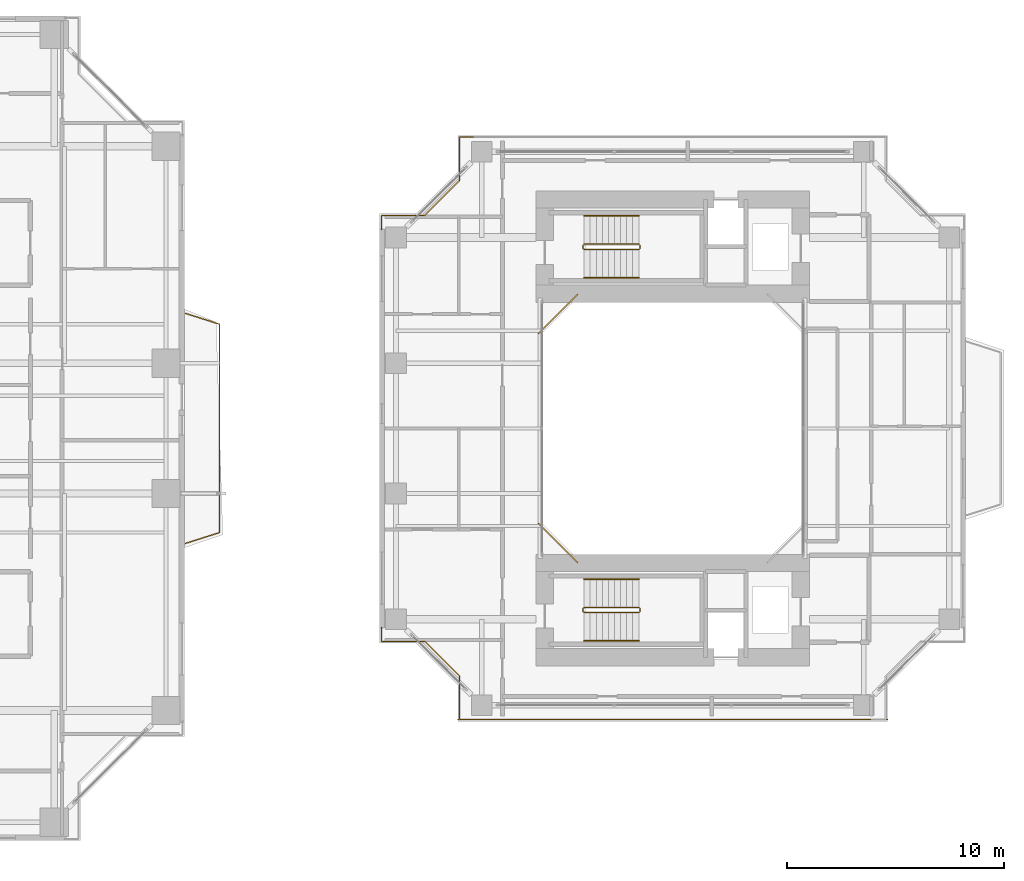
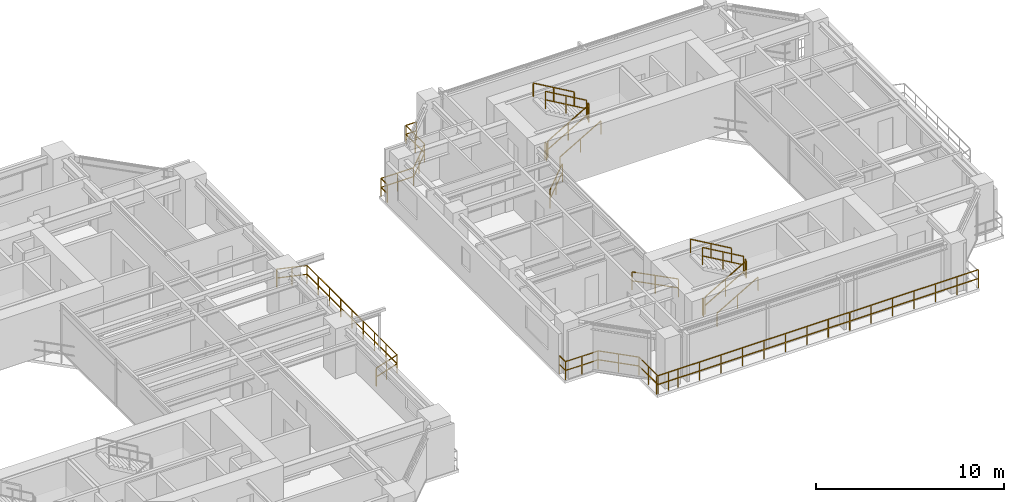
# One storey, part 22 of 23: 18 railings.
"""IFC4 building model written with IfcOpenShell, lengths in metres."""

from ifc_helpers import new_model, si_unit, direction, frame, origin, origin_2d, place, context, subcontext, project, spatial, rectangle, extrude, material, type_object, element, save


model = new_model("IFC4")

# Units and contexts
model_context = context("Model", 3, precision=1e-05, world=origin(), true_north=direction((0.0, 1.0)))
body_context = subcontext(model_context, "Body", "Model", "MODEL_VIEW")
ifc_project = project(units=[si_unit("LENGTHUNIT", "METRE"), si_unit("AREAUNIT", "SQUARE_METRE"), si_unit("VOLUMEUNIT", "CUBIC_METRE"), si_unit("PLANEANGLEUNIT", "RADIAN"), si_unit("MASSUNIT", "GRAM", prefix="KILO"), si_unit("THERMODYNAMICTEMPERATUREUNIT", "KELVIN"), si_unit("POWERUNIT", "WATT")], contexts=[model_context])

# Site, building, storey
site_placement = place(None, origin())
site = spatial("IfcSite", under=ifc_project, at=site_placement, CompositionType="ELEMENT")
building_placement = place(site_placement, origin())
building = spatial("IfcBuilding", under=site, at=building_placement, Name="Qiaomeng Ring Towers", CompositionType="ELEMENT")
storey_placement = place(building_placement, frame((0.0, 0.0, 60.0)))
storey = spatial("IfcBuildingStorey", under=building, at=storey_placement, Name="L16", CompositionType="ELEMENT", Elevation=60.0)

# Railings
ifc_material_1 = material(Name="Low-E pale-green laminated safety glass", Category="glass")
railing_type_1 = type_object("IfcRailingType", Name="ARC-RL-BAL1", PredefinedType="BALUSTRADE", material=ifc_material_1)
railing_1_placement = place(storey_placement, frame((38.050048828125, 17.699951171875, 0.0)))
element("IfcRailing", 1, at=railing_1_placement, inside=storey, type_object=railing_type_1, Name="L16 Balustrade ARC-BAL-L16-T1-E", PredefinedType="BALUSTRADE", context=body_context, shape_type="SweptSolid", body=[
    extrude(rectangle(XDim=0.048095703125, YDim=0.048095703125, at=origin_2d()), frame((0.0, 0.0, 1.17578125), z_axis=(0.952849860715, 0.303442157479, 0.0), x_axis=(-0.303442157479, 0.952849860715, 0.0)), (0.0, 0.0, 1.0), 1.647705078125),
    extrude(rectangle(XDim=0.048095703125, YDim=0.048095703125, at=origin_2d()), frame((0.0, 0.0, 0.60009765625), z_axis=(0.952849860715, 0.303442157479, 0.0), x_axis=(-0.303442157479, 0.952849860715, 0.0)), (0.0, 0.0, 1.0), 1.647705078125),
    extrude(rectangle(XDim=0.048095703125, YDim=0.048095703125, at=origin_2d()), frame((1.570068359375, 0.5, 1.17578125), z_axis=(0.0, 1.0, 0.0), x_axis=(-1.0, 0.0, 0.0)), (0.0, 0.0, 1.0), 9.60009765625),
    extrude(rectangle(XDim=0.048095703125, YDim=0.048095703125, at=origin_2d()), frame((1.570068359375, 0.5, 0.60009765625), z_axis=(0.0, 1.0, 0.0), x_axis=(-1.0, 0.0, 0.0)), (0.0, 0.0, 1.0), 9.60009765625),
    extrude(rectangle(XDim=0.048095703125, YDim=0.048095703125, at=origin_2d()), frame((1.570068359375, 10.10009765625, 1.17578125), z_axis=(-0.952849860715, 0.303442157479, 0.0), x_axis=(-0.303442157479, -0.952849860715, 0.0)), (0.0, 0.0, 1.0), 1.647705078125),
    extrude(rectangle(XDim=0.048095703125, YDim=0.048095703125, at=origin_2d()), frame((1.570068359375, 10.10009765625, 0.60009765625), z_axis=(-0.952849860715, 0.303442157479, 0.0), x_axis=(-0.303442157479, -0.952849860715, 0.0)), (0.0, 0.0, 1.0), 1.647705078125),
    extrude(rectangle(XDim=0.0419921875, YDim=0.0419921875, at=origin_2d()), origin(), (0.0, 0.0, 1.0), 1.15185546875),
    extrude(rectangle(XDim=0.0419921875, YDim=0.0419921875, at=origin_2d()), frame((0.78515625, 0.25, 0.0)), (0.0, 0.0, 1.0), 1.15185546875),
    extrude(rectangle(XDim=0.0419921875, YDim=0.0419921875, at=origin_2d()), frame((1.570068359375, 0.5, 0.0)), (0.0, 0.0, 1.0), 1.15185546875),
    extrude(rectangle(XDim=0.0419921875, YDim=0.0419921875, at=origin_2d()), frame((1.570068359375, 1.699951171875, 0.0)), (0.0, 0.0, 1.0), 1.15185546875),
    extrude(rectangle(XDim=0.0419921875, YDim=0.0419921875, at=origin_2d()), frame((1.570068359375, 2.89990234375, 0.0)), (0.0, 0.0, 1.0), 1.15185546875),
    extrude(rectangle(XDim=0.0419921875, YDim=0.0419921875, at=origin_2d()), frame((1.570068359375, 4.10009765625, 0.0)), (0.0, 0.0, 1.0), 1.15185546875),
    extrude(rectangle(XDim=0.0419921875, YDim=0.0419921875, at=origin_2d()), frame((1.570068359375, 5.300048828125, 0.0)), (0.0, 0.0, 1.0), 1.15185546875),
    extrude(rectangle(XDim=0.0419921875, YDim=0.0419921875, at=origin_2d()), frame((1.570068359375, 6.5, 0.0)), (0.0, 0.0, 1.0), 1.15185546875),
    extrude(rectangle(XDim=0.0419921875, YDim=0.0419921875, at=origin_2d()), frame((1.570068359375, 7.7001953125, 0.0)), (0.0, 0.0, 1.0), 1.15185546875),
    extrude(rectangle(XDim=0.0419921875, YDim=0.0419921875, at=origin_2d()), frame((1.570068359375, 8.900146484375, 0.0)), (0.0, 0.0, 1.0), 1.15185546875),
    extrude(rectangle(XDim=0.0419921875, YDim=0.0419921875, at=origin_2d()), frame((1.570068359375, 10.10009765625, 0.0)), (0.0, 0.0, 1.0), 1.15185546875),
    extrude(rectangle(XDim=0.0419921875, YDim=0.0419921875, at=origin_2d()), frame((0.78515625, 10.35009765625, 0.0)), (0.0, 0.0, 1.0), 1.15185546875),
    extrude(rectangle(XDim=0.0419921875, YDim=0.0419921875, at=origin_2d()), frame((0.0, 10.60009765625, 0.0)), (0.0, 0.0, 1.0), 1.15185546875),
])
railing_2_placement = place(storey_placement, frame((56.1201171875, 29.179931640625, 0.0)))
element("IfcRailing", 2, at=railing_2_placement, inside=storey, type_object=railing_type_1, Name="L16 Balustrade ARC-BAL-WELL2-L16-3", PredefinedType="BALUSTRADE", context=body_context, shape_type="SweptSolid", body=[
    extrude(rectangle(XDim=0.048095703125, YDim=0.048095703125, at=origin_2d()), frame((0.0, 0.0, 1.17578125), z_axis=(-0.707106781187, -0.707106781187, 0.0), x_axis=(0.707106781187, -0.707106781187, 0.0)), (0.0, 0.0, 1.0), 2.545654296875),
    extrude(rectangle(XDim=0.048095703125, YDim=0.048095703125, at=origin_2d()), frame((0.0, 0.0, 0.60009765625), z_axis=(-0.707106781187, -0.707106781187, 0.0), x_axis=(0.707106781187, -0.707106781187, 0.0)), (0.0, 0.0, 1.0), 2.545654296875),
    extrude(rectangle(XDim=0.0419921875, YDim=0.0419921875, at=origin_2d()), origin(), (0.0, 0.0, 1.0), 1.15185546875),
    extrude(rectangle(XDim=0.0419921875, YDim=0.0419921875, at=origin_2d()), frame((-0.89990234375, -0.89990234375, 0.0)), (0.0, 0.0, 1.0), 1.15185546875),
    extrude(rectangle(XDim=0.0419921875, YDim=0.0419921875, at=origin_2d()), frame((-1.800048828125, -1.800048828125, 0.0)), (0.0, 0.0, 1.0), 1.15185546875),
])
railing_3_placement = place(storey_placement, frame((54.320068359375, 18.6201171875, 0.0)))
element("IfcRailing", 3, at=railing_3_placement, inside=storey, type_object=railing_type_1, Name="L16 Balustrade ARC-BAL-WELL2-L16-4", PredefinedType="BALUSTRADE", context=body_context, shape_type="SweptSolid", body=[
    extrude(rectangle(XDim=0.048095703125, YDim=0.048095703125, at=origin_2d()), frame((0.0, 0.0, 1.17578125), z_axis=(0.707106781187, -0.707106781187, 0.0), x_axis=(0.707106781187, 0.707106781187, 0.0)), (0.0, 0.0, 1.0), 2.545654296875),
    extrude(rectangle(XDim=0.048095703125, YDim=0.048095703125, at=origin_2d()), frame((0.0, 0.0, 0.60009765625), z_axis=(0.707106781187, -0.707106781187, 0.0), x_axis=(0.707106781187, 0.707106781187, 0.0)), (0.0, 0.0, 1.0), 2.545654296875),
    extrude(rectangle(XDim=0.0419921875, YDim=0.0419921875, at=origin_2d()), origin(), (0.0, 0.0, 1.0), 1.15185546875),
    extrude(rectangle(XDim=0.0419921875, YDim=0.0419921875, at=origin_2d()), frame((0.89990234375, -0.89990234375, 0.0)), (0.0, 0.0, 1.0), 1.15185546875),
    extrude(rectangle(XDim=0.0419921875, YDim=0.0419921875, at=origin_2d()), frame((1.800048828125, -1.800048828125, 0.0)), (0.0, 0.0, 1.0), 1.15185546875),
])
railing_4_placement = place(storey_placement, frame((51.330078125, 36.419921875, 0.0)))
element("IfcRailing", 4, at=railing_4_placement, inside=storey, type_object=railing_type_1, Name="L16 Balustrade ARC-BAL-NOTCH2-L16-NW", PredefinedType="BALUSTRADE", context=body_context, shape_type="SweptSolid", body=[
    extrude(rectangle(XDim=0.048095703125, YDim=0.048095703125, at=origin_2d()), frame((0.0, 0.0, 1.17578125), z_axis=(-1.0, 0.0, 0.0), x_axis=(0.0, -1.0, 0.0)), (0.0, 0.0, 1.0), 0.650146484375),
    extrude(rectangle(XDim=0.048095703125, YDim=0.048095703125, at=origin_2d()), frame((0.0, 0.0, 0.60009765625), z_axis=(-1.0, 0.0, 0.0), x_axis=(0.0, -1.0, 0.0)), (0.0, 0.0, 1.0), 0.650146484375),
    extrude(rectangle(XDim=0.048095703125, YDim=0.048095703125, at=origin_2d()), frame((-0.650146484375, 0.0, 1.17578125), z_axis=(0.0, -1.0, 0.0), x_axis=(1.0, 0.0, 0.0)), (0.0, 0.0, 1.0), 2.0),
    extrude(rectangle(XDim=0.048095703125, YDim=0.048095703125, at=origin_2d()), frame((-0.650146484375, 0.0, 0.60009765625), z_axis=(0.0, -1.0, 0.0), x_axis=(1.0, 0.0, 0.0)), (0.0, 0.0, 1.0), 2.0),
    extrude(rectangle(XDim=0.048095703125, YDim=0.048095703125, at=origin_2d()), frame((-0.650146484375, -2.0, 1.17578125), z_axis=(-0.707106781187, -0.707106781187, 0.0), x_axis=(0.707106781187, -0.707106781187, 0.0)), (0.0, 0.0, 1.0), 2.262451171875),
    extrude(rectangle(XDim=0.048095703125, YDim=0.048095703125, at=origin_2d()), frame((-0.650146484375, -2.0, 0.60009765625), z_axis=(-0.707106781187, -0.707106781187, 0.0), x_axis=(0.707106781187, -0.707106781187, 0.0)), (0.0, 0.0, 1.0), 2.262451171875),
    extrude(rectangle(XDim=0.048095703125, YDim=0.048095703125, at=origin_2d()), frame((-2.25, -3.599853515625, 1.17578125), z_axis=(-1.0, 0.0, 0.0), x_axis=(0.0, -1.0, 0.0)), (0.0, 0.0, 1.0), 2.0),
    extrude(rectangle(XDim=0.048095703125, YDim=0.048095703125, at=origin_2d()), frame((-2.25, -3.599853515625, 0.60009765625), z_axis=(-1.0, 0.0, 0.0), x_axis=(0.0, -1.0, 0.0)), (0.0, 0.0, 1.0), 2.0),
    extrude(rectangle(XDim=0.048095703125, YDim=0.048095703125, at=origin_2d()), frame((-4.25, -3.599853515625, 1.17578125), z_axis=(0.0, -1.0, 0.0), x_axis=(1.0, 0.0, 0.0)), (0.0, 0.0, 1.0), 0.650146484375),
    extrude(rectangle(XDim=0.048095703125, YDim=0.048095703125, at=origin_2d()), frame((-4.25, -3.599853515625, 0.60009765625), z_axis=(0.0, -1.0, 0.0), x_axis=(1.0, 0.0, 0.0)), (0.0, 0.0, 1.0), 0.650146484375),
    extrude(rectangle(XDim=0.0419921875, YDim=0.0419921875, at=origin_2d()), origin(), (0.0, 0.0, 1.0), 1.15185546875),
    extrude(rectangle(XDim=0.0419921875, YDim=0.0419921875, at=origin_2d()), frame((-0.650146484375, 0.0, 0.0)), (0.0, 0.0, 1.0), 1.15185546875),
    extrude(rectangle(XDim=0.0419921875, YDim=0.0419921875, at=origin_2d()), frame((-0.650146484375, -1.0, 0.0)), (0.0, 0.0, 1.0), 1.15185546875),
    extrude(rectangle(XDim=0.0419921875, YDim=0.0419921875, at=origin_2d()), frame((-0.650146484375, -2.0, 0.0)), (0.0, 0.0, 1.0), 1.15185546875),
    extrude(rectangle(XDim=0.0419921875, YDim=0.0419921875, at=origin_2d()), frame((-1.4501953125, -2.7998046875, 0.0)), (0.0, 0.0, 1.0), 1.15185546875),
    extrude(rectangle(XDim=0.0419921875, YDim=0.0419921875, at=origin_2d()), frame((-2.25, -3.599853515625, 0.0)), (0.0, 0.0, 1.0), 1.15185546875),
    extrude(rectangle(XDim=0.0419921875, YDim=0.0419921875, at=origin_2d()), frame((-3.25, -3.599853515625, 0.0)), (0.0, 0.0, 1.0), 1.15185546875),
    extrude(rectangle(XDim=0.0419921875, YDim=0.0419921875, at=origin_2d()), frame((-4.25, -3.599853515625, 0.0)), (0.0, 0.0, 1.0), 1.15185546875),
    extrude(rectangle(XDim=0.0419921875, YDim=0.0419921875, at=origin_2d()), frame((-4.25, -4.25, 0.0)), (0.0, 0.0, 1.0), 1.15185546875),
])
railing_5_placement = place(storey_placement, frame((47.080078125, 13.830078125, 0.0)))
element("IfcRailing", 5, at=railing_5_placement, inside=storey, type_object=railing_type_1, Name="L16 Balustrade ARC-BAL-NOTCH2-L16-SW", PredefinedType="BALUSTRADE", context=body_context, shape_type="SweptSolid", body=[
    extrude(rectangle(XDim=0.048095703125, YDim=0.048095703125, at=origin_2d()), frame((0.0, 0.0, 1.17578125), z_axis=(0.0, -1.0, 0.0), x_axis=(1.0, 0.0, 0.0)), (0.0, 0.0, 1.0), 0.650146484375),
    extrude(rectangle(XDim=0.048095703125, YDim=0.048095703125, at=origin_2d()), frame((0.0, 0.0, 0.60009765625), z_axis=(0.0, -1.0, 0.0), x_axis=(1.0, 0.0, 0.0)), (0.0, 0.0, 1.0), 0.650146484375),
    extrude(rectangle(XDim=0.048095703125, YDim=0.048095703125, at=origin_2d()), frame((0.0, -0.650146484375, 1.17578125), z_axis=(1.0, 0.0, 0.0), x_axis=(0.0, 1.0, 0.0)), (0.0, 0.0, 1.0), 2.0),
    extrude(rectangle(XDim=0.048095703125, YDim=0.048095703125, at=origin_2d()), frame((0.0, -0.650146484375, 0.60009765625), z_axis=(1.0, 0.0, 0.0), x_axis=(0.0, 1.0, 0.0)), (0.0, 0.0, 1.0), 2.0),
    extrude(rectangle(XDim=0.048095703125, YDim=0.048095703125, at=origin_2d()), frame((2.0, -0.650146484375, 1.17578125), z_axis=(0.707106781187, -0.707106781187, 0.0), x_axis=(0.707106781187, 0.707106781187, 0.0)), (0.0, 0.0, 1.0), 2.262451171875),
    extrude(rectangle(XDim=0.048095703125, YDim=0.048095703125, at=origin_2d()), frame((2.0, -0.650146484375, 0.60009765625), z_axis=(0.707106781187, -0.707106781187, 0.0), x_axis=(0.707106781187, 0.707106781187, 0.0)), (0.0, 0.0, 1.0), 2.262451171875),
    extrude(rectangle(XDim=0.048095703125, YDim=0.048095703125, at=origin_2d()), frame((3.599853515625, -2.25, 1.17578125), z_axis=(0.0, -1.0, 0.0), x_axis=(1.0, 0.0, 0.0)), (0.0, 0.0, 1.0), 2.0),
    extrude(rectangle(XDim=0.048095703125, YDim=0.048095703125, at=origin_2d()), frame((3.599853515625, -2.25, 0.60009765625), z_axis=(0.0, -1.0, 0.0), x_axis=(1.0, 0.0, 0.0)), (0.0, 0.0, 1.0), 2.0),
    extrude(rectangle(XDim=0.048095703125, YDim=0.048095703125, at=origin_2d()), frame((3.599853515625, -4.25, 1.17578125), z_axis=(1.0, 0.0, 0.0), x_axis=(0.0, 1.0, 0.0)), (0.0, 0.0, 1.0), 0.650146484375),
    extrude(rectangle(XDim=0.048095703125, YDim=0.048095703125, at=origin_2d()), frame((3.599853515625, -4.25, 0.60009765625), z_axis=(1.0, 0.0, 0.0), x_axis=(0.0, 1.0, 0.0)), (0.0, 0.0, 1.0), 0.650146484375),
    extrude(rectangle(XDim=0.0419921875, YDim=0.0419921875, at=origin_2d()), origin(), (0.0, 0.0, 1.0), 1.15185546875),
    extrude(rectangle(XDim=0.0419921875, YDim=0.0419921875, at=origin_2d()), frame((0.0, -0.650146484375, 0.0)), (0.0, 0.0, 1.0), 1.15185546875),
    extrude(rectangle(XDim=0.0419921875, YDim=0.0419921875, at=origin_2d()), frame((1.0, -0.650146484375, 0.0)), (0.0, 0.0, 1.0), 1.15185546875),
    extrude(rectangle(XDim=0.0419921875, YDim=0.0419921875, at=origin_2d()), frame((2.0, -0.650146484375, 0.0)), (0.0, 0.0, 1.0), 1.15185546875),
    extrude(rectangle(XDim=0.0419921875, YDim=0.0419921875, at=origin_2d()), frame((2.7998046875, -1.4501953125, 0.0)), (0.0, 0.0, 1.0), 1.15185546875),
    extrude(rectangle(XDim=0.0419921875, YDim=0.0419921875, at=origin_2d()), frame((3.599853515625, -2.25, 0.0)), (0.0, 0.0, 1.0), 1.15185546875),
    extrude(rectangle(XDim=0.0419921875, YDim=0.0419921875, at=origin_2d()), frame((3.599853515625, -3.25, 0.0)), (0.0, 0.0, 1.0), 1.15185546875),
    extrude(rectangle(XDim=0.0419921875, YDim=0.0419921875, at=origin_2d()), frame((3.599853515625, -4.25, 0.0)), (0.0, 0.0, 1.0), 1.15185546875),
    extrude(rectangle(XDim=0.0419921875, YDim=0.0419921875, at=origin_2d()), frame((4.25, -4.25, 0.0)), (0.0, 0.0, 1.0), 1.15185546875),
])
railing_6_placement = place(storey_placement, frame((50.60009765625, 9.580078125, 0.0)))
element("IfcRailing", 6, at=railing_6_placement, inside=storey, type_object=railing_type_1, Name="L16 Balustrade ARC-BAL-T2S-L16", PredefinedType="BALUSTRADE", context=body_context, shape_type="SweptSolid", body=[
    extrude(rectangle(XDim=0.048095703125, YDim=0.048095703125, at=origin_2d()), frame((0.0, 0.0, 1.17578125), z_axis=(1.0, 0.0, 0.0), x_axis=(0.0, 1.0, 0.0)), (0.0, 0.0, 1.0), 19.7998046875),
    extrude(rectangle(XDim=0.048095703125, YDim=0.048095703125, at=origin_2d()), frame((0.0, 0.0, 0.60009765625), z_axis=(1.0, 0.0, 0.0), x_axis=(0.0, 1.0, 0.0)), (0.0, 0.0, 1.0), 19.7998046875),
    extrude(rectangle(XDim=0.0419921875, YDim=0.0419921875, at=origin_2d()), origin(), (0.0, 0.0, 1.0), 1.15185546875),
    extrude(rectangle(XDim=0.0419921875, YDim=0.0419921875, at=origin_2d()), frame((1.320068359375, 0.0, 0.0)), (0.0, 0.0, 1.0), 1.15185546875),
    extrude(rectangle(XDim=0.0419921875, YDim=0.0419921875, at=origin_2d()), frame((2.639892578125, 0.0, 0.0)), (0.0, 0.0, 1.0), 1.15185546875),
    extrude(rectangle(XDim=0.0419921875, YDim=0.0419921875, at=origin_2d()), frame((3.9599609375, 0.0, 0.0)), (0.0, 0.0, 1.0), 1.15185546875),
    extrude(rectangle(XDim=0.0419921875, YDim=0.0419921875, at=origin_2d()), frame((5.280029296875, 0.0, 0.0)), (0.0, 0.0, 1.0), 1.15185546875),
    extrude(rectangle(XDim=0.0419921875, YDim=0.0419921875, at=origin_2d()), frame((6.599853515625, 0.0, 0.0)), (0.0, 0.0, 1.0), 1.15185546875),
    extrude(rectangle(XDim=0.0419921875, YDim=0.0419921875, at=origin_2d()), frame((7.919921875, 0.0, 0.0)), (0.0, 0.0, 1.0), 1.15185546875),
    extrude(rectangle(XDim=0.0419921875, YDim=0.0419921875, at=origin_2d()), frame((9.239990234375, 0.0, 0.0)), (0.0, 0.0, 1.0), 1.15185546875),
    extrude(rectangle(XDim=0.0419921875, YDim=0.0419921875, at=origin_2d()), frame((10.559814453125, 0.0, 0.0)), (0.0, 0.0, 1.0), 1.15185546875),
    extrude(rectangle(XDim=0.0419921875, YDim=0.0419921875, at=origin_2d()), frame((11.8798828125, 0.0, 0.0)), (0.0, 0.0, 1.0), 1.15185546875),
    extrude(rectangle(XDim=0.0419921875, YDim=0.0419921875, at=origin_2d()), frame((13.199951171875, 0.0, 0.0)), (0.0, 0.0, 1.0), 1.15185546875),
    extrude(rectangle(XDim=0.0419921875, YDim=0.0419921875, at=origin_2d()), frame((14.519775390625, 0.0, 0.0)), (0.0, 0.0, 1.0), 1.15185546875),
    extrude(rectangle(XDim=0.0419921875, YDim=0.0419921875, at=origin_2d()), frame((15.83984375, 0.0, 0.0)), (0.0, 0.0, 1.0), 1.15185546875),
    extrude(rectangle(XDim=0.0419921875, YDim=0.0419921875, at=origin_2d()), frame((17.159912109375, 0.0, 0.0)), (0.0, 0.0, 1.0), 1.15185546875),
    extrude(rectangle(XDim=0.0419921875, YDim=0.0419921875, at=origin_2d()), frame((18.479736328125, 0.0, 0.0)), (0.0, 0.0, 1.0), 1.15185546875),
    extrude(rectangle(XDim=0.0419921875, YDim=0.0419921875, at=origin_2d()), frame((19.7998046875, 0.0, 0.0)), (0.0, 0.0, 1.0), 1.15185546875),
])
ifc_material_2 = material(Name="Galvanised steel", Category="steel")
railing_type_2 = type_object("IfcRailingType", Name="ARC-RL-GUARD", PredefinedType="GUARDRAIL", material=ifc_material_2)
railing_7_placement = place(storey_placement, frame((56.419921875, 31.25, 0.16259765625)))
element("IfcRailing", 7, at=railing_7_placement, inside=storey, type_object=railing_type_2, Name="L16 ST5 stair guard 1", PredefinedType="GUARDRAIL", context=body_context, shape_type="SweptSolid", body=[
    extrude(rectangle(XDim=0.048095703125, YDim=0.048095703125, at=origin_2d()), frame((0.0, 0.0, 1.1259765625), z_axis=(0.864913338283, 0.0, 0.50192122615), x_axis=(0.0, 1.0, 0.0)), (0.0, 0.0, 1.0), 2.91357421875),
    extrude(rectangle(XDim=0.048095703125, YDim=0.048095703125, at=origin_2d()), frame((0.0, 0.0, 0.574951171875), z_axis=(0.864913338283, 0.0, 0.50192122615), x_axis=(0.0, 1.0, 0.0)), (0.0, 0.0, 1.0), 2.91357421875),
    extrude(rectangle(XDim=0.0419921875, YDim=0.0419921875, at=origin_2d()), origin(), (0.0, 0.0, 1.0), 1.101806640625),
    extrude(rectangle(XDim=0.0419921875, YDim=0.0419921875, at=origin_2d()), frame((1.260009765625, 0.0, 0.731201171875)), (0.0, 0.0, 1.0), 1.101806640625),
    extrude(rectangle(XDim=0.0419921875, YDim=0.0419921875, at=origin_2d()), frame((2.52001953125, 0.0, 1.46240234375)), (0.0, 0.0, 1.0), 1.101806640625),
])
railing_8_placement = place(storey_placement, frame((58.989990234375, 31.300048828125, 1.625)))
element("IfcRailing", 8, at=railing_8_placement, inside=storey, type_object=railing_type_2, Name="L16 ST5 stair guard 2", PredefinedType="GUARDRAIL", context=body_context, shape_type="SweptSolid", body=[
    extrude(rectangle(XDim=0.048095703125, YDim=0.048095703125, at=origin_2d()), frame((0.0, 0.0, 1.1259765625), z_axis=(0.0, 1.0, 0.0), x_axis=(-1.0, 0.0, 0.0)), (0.0, 0.0, 1.0), 0.139892578125),
    extrude(rectangle(XDim=0.048095703125, YDim=0.048095703125, at=origin_2d()), frame((0.0, 0.0, 0.574951171875), z_axis=(0.0, 1.0, 0.0), x_axis=(-1.0, 0.0, 0.0)), (0.0, 0.0, 1.0), 0.139892578125),
    extrude(rectangle(XDim=0.0419921875, YDim=0.0419921875, at=origin_2d()), origin(), (0.0, 0.0, 1.0), 1.101806640625),
    extrude(rectangle(XDim=0.0419921875, YDim=0.0419921875, at=origin_2d()), frame((0.0, 0.139892578125, 0.0)), (0.0, 0.0, 1.0), 1.101806640625),
])
railing_9_placement = place(storey_placement, frame((58.93994140625, 31.489990234375, 1.78759765625)))
element("IfcRailing", 9, at=railing_9_placement, inside=storey, type_object=railing_type_2, Name="L16 ST5 stair guard 3", PredefinedType="GUARDRAIL", context=body_context, shape_type="SweptSolid", body=[
    extrude(rectangle(XDim=0.048095703125, YDim=0.048095703125, at=origin_2d()), frame((0.0, 0.0, 1.1259765625), z_axis=(-0.864913338283, 0.0, 0.50192122615), x_axis=(0.0, -1.0, 0.0)), (0.0, 0.0, 1.0), 2.91357421875),
    extrude(rectangle(XDim=0.048095703125, YDim=0.048095703125, at=origin_2d()), frame((0.0, 0.0, 0.574951171875), z_axis=(-0.864913338283, 0.0, 0.50192122615), x_axis=(0.0, -1.0, 0.0)), (0.0, 0.0, 1.0), 2.91357421875),
    extrude(rectangle(XDim=0.0419921875, YDim=0.0419921875, at=origin_2d()), origin(), (0.0, 0.0, 1.0), 1.101806640625),
    extrude(rectangle(XDim=0.0419921875, YDim=0.0419921875, at=origin_2d()), frame((-1.260009765625, 0.0, 0.731201171875)), (0.0, 0.0, 1.0), 1.101806640625),
    extrude(rectangle(XDim=0.0419921875, YDim=0.0419921875, at=origin_2d()), frame((-2.52001953125, 0.0, 1.46240234375)), (0.0, 0.0, 1.0), 1.101806640625),
])
railing_10_placement = place(storey_placement, frame((56.3701171875, 31.300048828125, 0.0)))
element("IfcRailing", 10, at=railing_10_placement, inside=storey, type_object=railing_type_2, Name="L16 ST5 stair guard 4", PredefinedType="GUARDRAIL", context=body_context, shape_type="SweptSolid", body=[
    extrude(rectangle(XDim=0.048095703125, YDim=0.048095703125, at=origin_2d()), frame((0.0, 0.0, 1.1259765625), z_axis=(0.0, 1.0, 0.0), x_axis=(-1.0, 0.0, 0.0)), (0.0, 0.0, 1.0), 0.139892578125),
    extrude(rectangle(XDim=0.048095703125, YDim=0.048095703125, at=origin_2d()), frame((0.0, 0.0, 0.574951171875), z_axis=(0.0, 1.0, 0.0), x_axis=(-1.0, 0.0, 0.0)), (0.0, 0.0, 1.0), 0.139892578125),
    extrude(rectangle(XDim=0.0419921875, YDim=0.0419921875, at=origin_2d()), origin(), (0.0, 0.0, 1.0), 1.101806640625),
    extrude(rectangle(XDim=0.0419921875, YDim=0.0419921875, at=origin_2d()), frame((0.0, 0.139892578125, 0.0)), (0.0, 0.0, 1.0), 1.101806640625),
])
railing_11_placement = place(storey_placement, frame((56.419921875, 14.510009765625, 0.16259765625)))
element("IfcRailing", 11, at=railing_11_placement, inside=storey, type_object=railing_type_2, Name="L16 ST6 stair guard 1", PredefinedType="GUARDRAIL", context=body_context, shape_type="SweptSolid", body=[
    extrude(rectangle(XDim=0.048095703125, YDim=0.048095703125, at=origin_2d()), frame((0.0, 0.0, 1.1259765625), z_axis=(0.864913338283, 0.0, 0.50192122615), x_axis=(0.0, 1.0, 0.0)), (0.0, 0.0, 1.0), 2.91357421875),
    extrude(rectangle(XDim=0.048095703125, YDim=0.048095703125, at=origin_2d()), frame((0.0, 0.0, 0.574951171875), z_axis=(0.864913338283, 0.0, 0.50192122615), x_axis=(0.0, 1.0, 0.0)), (0.0, 0.0, 1.0), 2.91357421875),
    extrude(rectangle(XDim=0.0419921875, YDim=0.0419921875, at=origin_2d()), origin(), (0.0, 0.0, 1.0), 1.101806640625),
    extrude(rectangle(XDim=0.0419921875, YDim=0.0419921875, at=origin_2d()), frame((1.260009765625, 0.0, 0.731201171875)), (0.0, 0.0, 1.0), 1.101806640625),
    extrude(rectangle(XDim=0.0419921875, YDim=0.0419921875, at=origin_2d()), frame((2.52001953125, 0.0, 1.46240234375)), (0.0, 0.0, 1.0), 1.101806640625),
])
railing_12_placement = place(storey_placement, frame((58.989990234375, 14.56005859375, 1.625)))
element("IfcRailing", 12, at=railing_12_placement, inside=storey, type_object=railing_type_2, Name="L16 ST6 stair guard 2", PredefinedType="GUARDRAIL", context=body_context, shape_type="SweptSolid", body=[
    extrude(rectangle(XDim=0.048095703125, YDim=0.048095703125, at=origin_2d()), frame((0.0, 0.0, 1.1259765625), z_axis=(0.0, 1.0, 0.0), x_axis=(-1.0, 0.0, 0.0)), (0.0, 0.0, 1.0), 0.139892578125),
    extrude(rectangle(XDim=0.048095703125, YDim=0.048095703125, at=origin_2d()), frame((0.0, 0.0, 0.574951171875), z_axis=(0.0, 1.0, 0.0), x_axis=(-1.0, 0.0, 0.0)), (0.0, 0.0, 1.0), 0.139892578125),
    extrude(rectangle(XDim=0.0419921875, YDim=0.0419921875, at=origin_2d()), origin(), (0.0, 0.0, 1.0), 1.101806640625),
    extrude(rectangle(XDim=0.0419921875, YDim=0.0419921875, at=origin_2d()), frame((0.0, 0.139892578125, 0.0)), (0.0, 0.0, 1.0), 1.101806640625),
])
railing_13_placement = place(storey_placement, frame((58.93994140625, 14.75, 1.78759765625)))
element("IfcRailing", 13, at=railing_13_placement, inside=storey, type_object=railing_type_2, Name="L16 ST6 stair guard 3", PredefinedType="GUARDRAIL", context=body_context, shape_type="SweptSolid", body=[
    extrude(rectangle(XDim=0.048095703125, YDim=0.048095703125, at=origin_2d()), frame((0.0, 0.0, 1.1259765625), z_axis=(-0.864913338283, 0.0, 0.50192122615), x_axis=(0.0, -1.0, 0.0)), (0.0, 0.0, 1.0), 2.91357421875),
    extrude(rectangle(XDim=0.048095703125, YDim=0.048095703125, at=origin_2d()), frame((0.0, 0.0, 0.574951171875), z_axis=(-0.864913338283, 0.0, 0.50192122615), x_axis=(0.0, -1.0, 0.0)), (0.0, 0.0, 1.0), 2.91357421875),
    extrude(rectangle(XDim=0.0419921875, YDim=0.0419921875, at=origin_2d()), origin(), (0.0, 0.0, 1.0), 1.101806640625),
    extrude(rectangle(XDim=0.0419921875, YDim=0.0419921875, at=origin_2d()), frame((-1.260009765625, 0.0, 0.731201171875)), (0.0, 0.0, 1.0), 1.101806640625),
    extrude(rectangle(XDim=0.0419921875, YDim=0.0419921875, at=origin_2d()), frame((-2.52001953125, 0.0, 1.46240234375)), (0.0, 0.0, 1.0), 1.101806640625),
])
railing_14_placement = place(storey_placement, frame((56.3701171875, 14.56005859375, 0.0)))
element("IfcRailing", 14, at=railing_14_placement, inside=storey, type_object=railing_type_2, Name="L16 ST6 stair guard 4", PredefinedType="GUARDRAIL", context=body_context, shape_type="SweptSolid", body=[
    extrude(rectangle(XDim=0.048095703125, YDim=0.048095703125, at=origin_2d()), frame((0.0, 0.0, 1.1259765625), z_axis=(0.0, 1.0, 0.0), x_axis=(-1.0, 0.0, 0.0)), (0.0, 0.0, 1.0), 0.139892578125),
    extrude(rectangle(XDim=0.048095703125, YDim=0.048095703125, at=origin_2d()), frame((0.0, 0.0, 0.574951171875), z_axis=(0.0, 1.0, 0.0), x_axis=(-1.0, 0.0, 0.0)), (0.0, 0.0, 1.0), 0.139892578125),
    extrude(rectangle(XDim=0.0419921875, YDim=0.0419921875, at=origin_2d()), origin(), (0.0, 0.0, 1.0), 1.101806640625),
    extrude(rectangle(XDim=0.0419921875, YDim=0.0419921875, at=origin_2d()), frame((0.0, 0.139892578125, 0.0)), (0.0, 0.0, 1.0), 1.101806640625),
])
ifc_material_3 = material(Name="Stainless steel 316", Category="steel")
railing_type_3 = type_object("IfcRailingType", Name="ARC-RL-HAND", PredefinedType="HANDRAIL", material=ifc_material_3)
railing_15_placement = place(storey_placement, frame((56.419921875, 29.949951171875, 0.16259765625)))
element("IfcRailing", 15, at=railing_15_placement, inside=storey, type_object=railing_type_3, Name="L16 ST5 stair handrail 1", PredefinedType="HANDRAIL", context=body_context, shape_type="SweptSolid", body=[
    extrude(rectangle(XDim=0.048095703125, YDim=0.048095703125, at=origin_2d()), frame((0.0, 0.0, 0.8759765625), z_axis=(0.864913338283, 0.0, 0.50192122615), x_axis=(0.0, 1.0, 0.0)), (0.0, 0.0, 1.0), 2.91357421875),
    extrude(rectangle(XDim=0.0419921875, YDim=0.0419921875, at=origin_2d()), origin(), (0.0, 0.0, 1.0), 0.851806640625),
    extrude(rectangle(XDim=0.0419921875, YDim=0.0419921875, at=origin_2d()), frame((1.260009765625, 0.0, 0.731201171875)), (0.0, 0.0, 1.0), 0.851806640625),
    extrude(rectangle(XDim=0.0419921875, YDim=0.0419921875, at=origin_2d()), frame((2.52001953125, 0.0, 1.46240234375)), (0.0, 0.0, 1.0), 0.851806640625),
])
railing_16_placement = place(storey_placement, frame((58.93994140625, 32.7900390625, 1.78759765625)))
element("IfcRailing", 16, at=railing_16_placement, inside=storey, type_object=railing_type_3, Name="L16 ST5 stair handrail 2", PredefinedType="HANDRAIL", context=body_context, shape_type="SweptSolid", body=[
    extrude(rectangle(XDim=0.048095703125, YDim=0.048095703125, at=origin_2d()), frame((0.0, 0.0, 0.8759765625), z_axis=(-0.864913338283, 0.0, 0.50192122615), x_axis=(0.0, -1.0, 0.0)), (0.0, 0.0, 1.0), 2.91357421875),
    extrude(rectangle(XDim=0.0419921875, YDim=0.0419921875, at=origin_2d()), origin(), (0.0, 0.0, 1.0), 0.851806640625),
    extrude(rectangle(XDim=0.0419921875, YDim=0.0419921875, at=origin_2d()), frame((-1.260009765625, 0.0, 0.731201171875)), (0.0, 0.0, 1.0), 0.851806640625),
    extrude(rectangle(XDim=0.0419921875, YDim=0.0419921875, at=origin_2d()), frame((-2.52001953125, 0.0, 1.46240234375)), (0.0, 0.0, 1.0), 0.851806640625),
])
railing_17_placement = place(storey_placement, frame((56.419921875, 13.2099609375, 0.16259765625)))
element("IfcRailing", 17, at=railing_17_placement, inside=storey, type_object=railing_type_3, Name="L16 ST6 stair handrail 1", PredefinedType="HANDRAIL", context=body_context, shape_type="SweptSolid", body=[
    extrude(rectangle(XDim=0.048095703125, YDim=0.048095703125, at=origin_2d()), frame((0.0, 0.0, 0.8759765625), z_axis=(0.864913338283, 0.0, 0.50192122615), x_axis=(0.0, 1.0, 0.0)), (0.0, 0.0, 1.0), 2.91357421875),
    extrude(rectangle(XDim=0.0419921875, YDim=0.0419921875, at=origin_2d()), origin(), (0.0, 0.0, 1.0), 0.851806640625),
    extrude(rectangle(XDim=0.0419921875, YDim=0.0419921875, at=origin_2d()), frame((1.260009765625, 0.0, 0.731201171875)), (0.0, 0.0, 1.0), 0.851806640625),
    extrude(rectangle(XDim=0.0419921875, YDim=0.0419921875, at=origin_2d()), frame((2.52001953125, 0.0, 1.46240234375)), (0.0, 0.0, 1.0), 0.851806640625),
])
railing_18_placement = place(storey_placement, frame((58.93994140625, 16.050048828125, 1.78759765625)))
element("IfcRailing", 18, at=railing_18_placement, inside=storey, type_object=railing_type_3, Name="L16 ST6 stair handrail 2", PredefinedType="HANDRAIL", context=body_context, shape_type="SweptSolid", body=[
    extrude(rectangle(XDim=0.048095703125, YDim=0.048095703125, at=origin_2d()), frame((0.0, 0.0, 0.8759765625), z_axis=(-0.864913338283, 0.0, 0.50192122615), x_axis=(0.0, -1.0, 0.0)), (0.0, 0.0, 1.0), 2.91357421875),
    extrude(rectangle(XDim=0.0419921875, YDim=0.0419921875, at=origin_2d()), origin(), (0.0, 0.0, 1.0), 0.851806640625),
    extrude(rectangle(XDim=0.0419921875, YDim=0.0419921875, at=origin_2d()), frame((-1.260009765625, 0.0, 0.731201171875)), (0.0, 0.0, 1.0), 0.851806640625),
    extrude(rectangle(XDim=0.0419921875, YDim=0.0419921875, at=origin_2d()), frame((-2.52001953125, 0.0, 1.46240234375)), (0.0, 0.0, 1.0), 0.851806640625),
])

save(model, "model.ifc")
